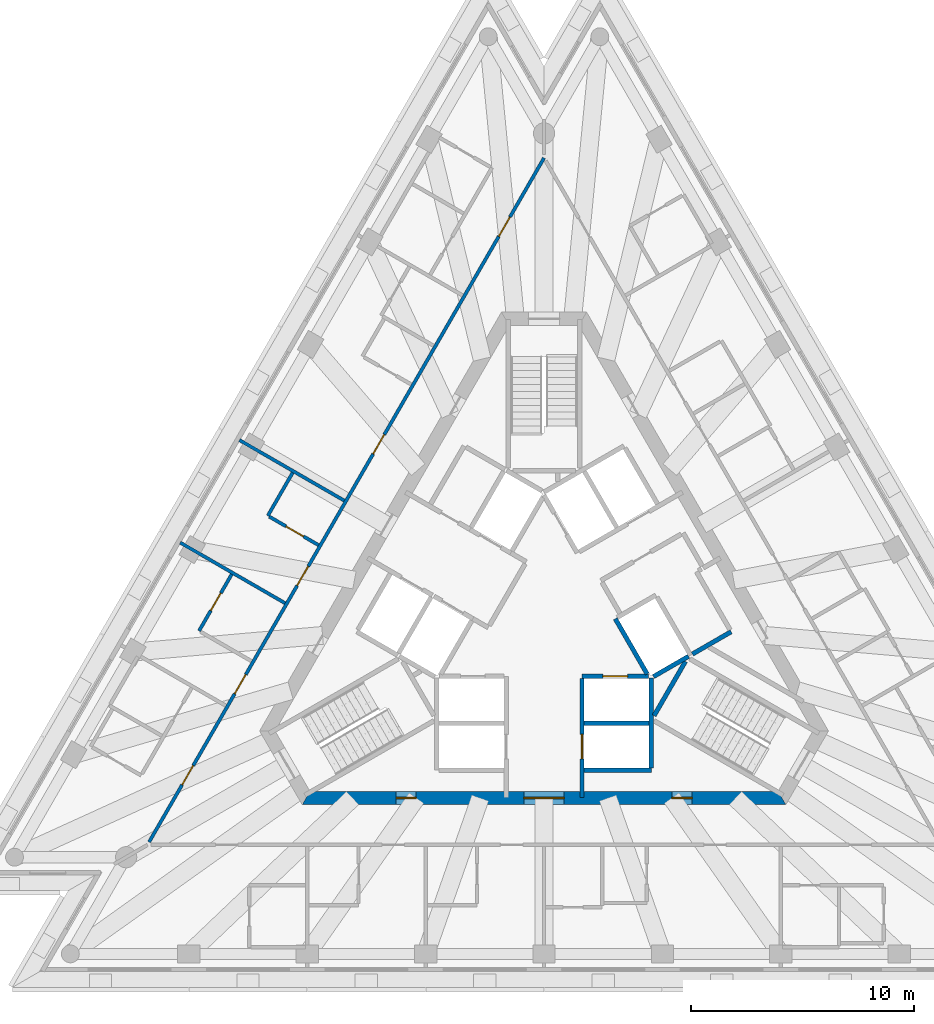
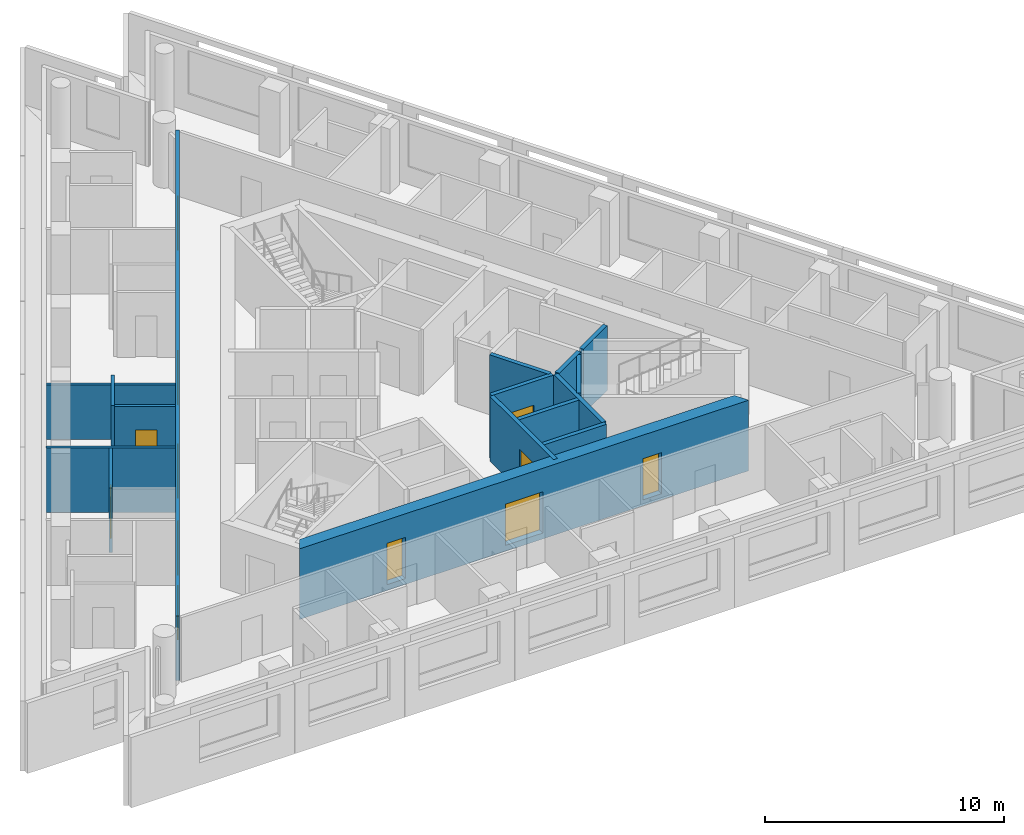
# One storey, part 4 of 11: 16 walls, 12 doors, 12 openings.
"""IFC4 building model written with IfcOpenShell, lengths in metres."""

from ifc_helpers import new_model, si_unit, direction, frame, frame_2d, origin, place, context, subcontext, project, spatial, polyline, rectangle, outline, extrude, material, layer, layer_set, type_object, element, fill, save


model = new_model("IFC4")

# Units and contexts
model_context = context("Model", 3, precision=1e-05, world=origin(), true_north=direction((0.0, 1.0)))
body_context = subcontext(model_context, "Body", "Model", "MODEL_VIEW")
ifc_project = project(units=[si_unit("LENGTHUNIT", "METRE"), si_unit("AREAUNIT", "SQUARE_METRE"), si_unit("VOLUMEUNIT", "CUBIC_METRE"), si_unit("PLANEANGLEUNIT", "RADIAN"), si_unit("MASSUNIT", "GRAM", prefix="KILO")], contexts=[model_context])

# Site, building, storey
site_placement = place(None, origin())
site = spatial("IfcSite", under=ifc_project, at=site_placement, CompositionType="ELEMENT")
building_placement = place(site_placement, origin())
building = spatial("IfcBuilding", under=site, at=building_placement, Name="Triada Interchange Tower", CompositionType="ELEMENT")
storey_placement = place(building_placement, frame((0.0, 0.0, 307.89990234375)))
storey = spatial("IfcBuildingStorey", under=building, at=storey_placement, Name="L73", CompositionType="ELEMENT", Elevation=307.89990234375)

# Walls
ifc_material_1 = material(Name="Concrete C30/37", Category="concrete")
ifc_layer_1 = layer(ifc_material_1, 0.199951171875)
ifc_layer_set_1 = layer_set([ifc_layer_1], Name="CORE WALL 200 EI 120")
wall_type_1 = type_object("IfcWallType", Name="CORE WALL 200 EI 120", PredefinedType="SOLIDWALL", material=ifc_layer_set_1)
wall_1_placement = place(storey_placement, frame((1.800048828125, -4.800048828125, 0.0), z_axis=(0.0, 0.0, 1.0), x_axis=(1.0, 0.0, 0.0)))
element("IfcWall", 1, at=wall_1_placement, inside=storey, type_object=wall_type_1, Name="Wall L71 72", PredefinedType="SOLIDWALL", context=body_context, shape_type="SweptSolid", body=[
    extrude(rectangle(XDim=2.89990234375, YDim=0.199951171875, at=frame_2d((1.449951171875, 0.0))), origin(), (0.0, 0.0, 1.0), 3.300048828125),
])
wall_2_placement = place(storey_placement, frame((1.800048828125, -6.89990234375, 0.0), z_axis=(0.0, 0.0, 1.0), x_axis=(1.0, 0.0, 0.0)))
element("IfcWall", 2, at=wall_2_placement, inside=storey, type_object=wall_type_1, Name="Wall L71 75", PredefinedType="SOLIDWALL", context=body_context, shape_type="SweptSolid", body=[
    extrude(rectangle(XDim=3.0, YDim=0.199951171875, at=frame_2d((1.5, 0.0))), origin(), (0.0, 0.0, 1.0), 3.300048828125),
])

# Wall, opening, door
wall_3_placement = place(storey_placement, frame((1.702880859375, -2.699951171875, 0.0), z_axis=(0.0, 0.0, 1.0), x_axis=(1.0, 0.0, 0.0)))
wall_3 = element("IfcWall", 3, at=wall_3_placement, inside=storey, type_object=wall_type_1, Name="Wall L71 78", PredefinedType="SOLIDWALL", context=body_context, shape_type="SweptSolid", body=[
    extrude(rectangle(XDim=2.97314453125, YDim=0.199951171875, at=frame_2d((1.486572265625, 0.0))), origin(), (0.0, 0.0, 1.0), 3.300048828125),
])
opening_1_placement = place(wall_3_placement, frame((0.93603515625, 0.0, 0.0)))
opening_1 = element("IfcOpeningElement", 4, at=opening_1_placement, cuts=wall_3, Name="Opening LD-HR1", PredefinedType="OPENING", context=body_context, shape_type="SweptSolid", body=[
    extrude(rectangle(XDim=1.10009765625, YDim=2.10009765625, at=frame_2d((0.550048828125, 1.050048828125))), frame((0.0, 0.10986328125, 0.0), z_axis=(0.0, -1.0, 0.0), x_axis=(1.0, 0.0, 0.0)), (0.0, 0.0, 1.0), 0.219970703125),
])
ifc_material_2 = material(Name="Steel S235 door leaf", Category="steel")
door_type_1 = type_object("IfcDoorType", Name="LIFT LANDING DOOR 1100 EI 120", OperationType="SLIDING_TO_LEFT", PredefinedType="DOOR", material=ifc_material_2)
door_1_placement = place(opening_1_placement, origin())
door_1 = element("IfcDoor", 5, at=door_1_placement, inside=storey, type_object=door_type_1, Name="HR1 landing door L73", OperationType="SLIDING_TO_LEFT", OverallHeight=2.10009765625, OverallWidth=1.10009765625, PredefinedType="DOOR", context=body_context, shape_type="SweptSolid", body=[
    extrude(rectangle(XDim=1.10009765625, YDim=2.10009765625, at=frame_2d((0.550048828125, 1.050048828125))), frame((0.0, 0.02490234375, 0.0), z_axis=(0.0, -1.0, 0.0), x_axis=(1.0, 0.0, 0.0)), (0.0, 0.0, 1.0), 0.050048828125),
])
fill(opening_1, door_1)

# Wall
wall_4_placement = place(storey_placement, frame((3.18994140625, -0.125, 0.0), z_axis=(0.0, 0.0, 1.0), x_axis=(0.499988658015, -0.866031951983, 0.0)))
element("IfcWall", 6, at=wall_4_placement, inside=storey, type_object=wall_type_1, Name="Wall L71 81", PredefinedType="SOLIDWALL", context=body_context, shape_type="SweptSolid", body=[
    extrude(rectangle(XDim=2.85791015625, YDim=0.199951171875, at=frame_2d((1.428955078125, 0.0))), origin(), (0.0, 0.0, 1.0), 3.300048828125),
])

# Wall, opening, door
wall_5_placement = place(storey_placement, frame((1.699951171875, -8.1298828125, 0.0), z_axis=(0.0, 0.0, 1.0), x_axis=(0.0, 1.0, 0.0)))
wall_5 = element("IfcWall", 7, at=wall_5_placement, inside=storey, type_object=wall_type_1, Name="Wall L71 83", PredefinedType="SOLIDWALL", context=body_context, shape_type="SweptSolid", body=[
    extrude(rectangle(XDim=5.326904296875, YDim=0.199951171875, at=frame_2d((2.66357421875, 0.0))), origin(), (0.0, 0.0, 1.0), 3.300048828125),
])
opening_2_placement = place(wall_5_placement, frame((1.72998046875, 0.0, 0.0)))
opening_2 = element("IfcOpeningElement", 8, at=opening_2_placement, cuts=wall_5, Name="Opening LD-HR2", PredefinedType="OPENING", context=body_context, shape_type="SweptSolid", body=[
    extrude(rectangle(XDim=1.10009765625, YDim=2.10009765625, at=frame_2d((0.550048828125, 1.050048828125))), frame((0.0, 0.10986328125, 0.0), z_axis=(0.0, -1.0, 0.0), x_axis=(1.0, 0.0, 0.0)), (0.0, 0.0, 1.0), 0.219970703125),
])
door_2_placement = place(opening_2_placement, origin())
door_2 = element("IfcDoor", 9, at=door_2_placement, inside=storey, type_object=door_type_1, Name="HR2 landing door L73", OperationType="SLIDING_TO_LEFT", OverallHeight=2.10009765625, OverallWidth=1.10009765625, PredefinedType="DOOR", context=body_context, shape_type="SweptSolid", body=[
    extrude(rectangle(XDim=1.10009765625, YDim=2.10009765625, at=frame_2d((0.550048828125, 1.050048828125))), frame((0.0, 0.02490234375, 0.0), z_axis=(0.0, -1.0, 0.0), x_axis=(1.0, 0.0, 0.0)), (0.0, 0.0, 1.0), 0.050048828125),
])
fill(opening_2, door_2)

# Walls
wall_6_placement = place(storey_placement, frame((4.800048828125, -6.800048828125, 0.0), z_axis=(0.0, 0.0, 1.0), x_axis=(0.0, 1.0, 0.0)))
element("IfcWall", 10, at=wall_6_placement, inside=storey, type_object=wall_type_1, Name="Wall L71 84", PredefinedType="SOLIDWALL", context=body_context, shape_type="SweptSolid", body=[
    extrude(rectangle(XDim=4.029052734375, YDim=0.199951171875, at=frame_2d((2.0146484375, 0.0))), origin(), (0.0, 0.0, 1.0), 3.300048828125),
])
wall_7_placement = place(storey_placement, frame((4.89990234375, -2.714111328125, 0.0), z_axis=(0.0, 0.0, 1.0), x_axis=(0.865846928409, 0.500309001083, 0.0)))
element("IfcWall", 11, at=wall_7_placement, inside=storey, type_object=wall_type_1, Name="Wall L71 90", PredefinedType="SOLIDWALL", context=body_context, shape_type="SweptSolid", body=[
    extrude(rectangle(XDim=1.813232421875, YDim=0.199951171875, at=frame_2d((0.90673828125, 0.0))), origin(), (0.0, 0.0, 1.0), 3.300048828125),
])
ifc_layer_2 = layer(ifc_material_1, 0.199951171875)
ifc_layer_set_2 = layer_set([ifc_layer_2], Name="CORE WALL 200 EI 90")
wall_type_2 = type_object("IfcWallType", Name="CORE WALL 200 EI 90", PredefinedType="SOLIDWALL", material=ifc_layer_set_2)
wall_8_placement = place(storey_placement, frame((6.64208984375, -1.7080078125, 0.0), z_axis=(0.0, 0.0, 1.0), x_axis=(0.866043441391, 0.499968756647, 0.0)))
element("IfcWall", 12, at=wall_8_placement, inside=storey, type_object=wall_type_2, Name="Wall L71 111", PredefinedType="SOLIDWALL", context=body_context, shape_type="SweptSolid", body=[
    extrude(rectangle(XDim=2.002197265625, YDim=0.199951171875, at=frame_2d((1.0009765625, 0.0))), origin(), (0.0, 0.0, 1.0), 3.300048828125),
])
ifc_layer_3 = layer(ifc_material_1, 0.199951171875)
ifc_layer_set_3 = layer_set([ifc_layer_3], Name="CORE WALL 200 REI 240")
wall_type_3 = type_object("IfcWallType", Name="CORE WALL 200 REI 240", PredefinedType="SOLIDWALL", material=ifc_layer_set_3)
wall_9_placement = place(storey_placement, frame((4.928955078125, -4.4619140625, 0.0), z_axis=(0.0, 0.0, 1.0), x_axis=(0.500200581029, 0.865909567298, 0.0)))
element("IfcWall", 13, at=wall_9_placement, inside=storey, type_object=wall_type_3, Name="Wall L71 122", PredefinedType="SOLIDWALL", context=body_context, shape_type="SweptSolid", body=[
    extrude(rectangle(XDim=2.799072265625, YDim=0.199951171875, at=frame_2d((1.3994140625, 0.0))), origin(), (0.0, 0.0, 1.0), 3.300048828125),
])

# Wall, openings, doors
ifc_material_3 = material(Name="Concrete C40/50", Category="concrete")
ifc_layer_4 = layer(ifc_material_3, 0.60009765625)
ifc_layer_set_4 = layer_set([ifc_layer_4], Name="Core wall D 600")
wall_type_4 = type_object("IfcWallType", Name="Core wall D 600", PredefinedType="SHEAR", material=ifc_layer_set_4)
wall_10_placement = place(storey_placement, frame((-10.652099609375, -8.14990234375, -0.2998046875), z_axis=(0.0, 0.0, 1.0), x_axis=(1.0, 0.0, 0.0)))
wall_10 = element("IfcWall", 14, at=wall_10_placement, inside=storey, type_object=wall_type_4, Name="Core wall WD04 L73", PredefinedType="SHEAR", context=body_context, shape_type="SweptSolid", body=[
    extrude(outline(polyline([(-0.173095703125, -0.300048828125), (1.795166015625, -0.300048828125), (3.76318359375, -0.300048828125), (5.7314453125, -0.300048828125), (7.69970703125, -0.300048828125), (9.66796875, -0.300048828125), (11.635986328125, -0.300048828125), (13.604248046875, -0.300048828125), (15.572509765625, -0.300048828125), (17.540771484375, -0.300048828125), (19.5087890625, -0.300048828125), (21.47705078125, -0.300048828125), (21.131103515625, 0.300048828125), (19.225830078125, 0.300048828125), (17.320556640625, 0.300048828125), (15.415283203125, 0.300048828125), (13.510009765625, 0.300048828125), (11.604736328125, 0.300048828125), (9.699462890625, 0.300048828125), (7.794189453125, 0.300048828125), (5.888916015625, 0.300048828125), (3.983642578125, 0.300048828125), (2.078369140625, 0.300048828125), (0.173095703125, 0.300048828125), (-0.173095703125, -0.300048828125)])), origin(), (0.0, 0.0, 1.0), 3.599853515625),
])
opening_3_placement = place(wall_10_placement, frame((9.751953125, 0.0, 0.300048828125)))
opening_3 = element("IfcOpeningElement", 15, at=opening_3_placement, cuts=wall_10, Name="Opening D71-49", PredefinedType="OPENING", context=body_context, shape_type="SweptSolid", body=[
    extrude(rectangle(XDim=1.800048828125, YDim=2.10009765625, at=frame_2d((0.89990234375, 1.050048828125))), frame((0.0, 0.31005859375, 0.0), z_axis=(0.0, -1.0, 0.0), x_axis=(1.0, 0.0, 0.0)), (0.0, 0.0, 1.0), 0.6201171875),
])
opening_4_placement = place(wall_10_placement, frame((4.02587890625, 0.0, 0.300048828125)))
opening_4 = element("IfcOpeningElement", 16, at=opening_4_placement, cuts=wall_10, Name="Opening D71-55", PredefinedType="OPENING", context=body_context, shape_type="SweptSolid", body=[
    extrude(rectangle(XDim=0.89990234375, YDim=2.10009765625, at=frame_2d((0.449951171875, 1.050048828125))), frame((0.0, 0.31005859375, 0.0), z_axis=(0.0, -1.0, 0.0), x_axis=(1.0, 0.0, 0.0)), (0.0, 0.0, 1.0), 0.6201171875),
])
opening_5_placement = place(wall_10_placement, frame((16.3779296875, 0.0, 0.300048828125)))
opening_5 = element("IfcOpeningElement", 17, at=opening_5_placement, cuts=wall_10, Name="Opening D71-58", PredefinedType="OPENING", context=body_context, shape_type="SweptSolid", body=[
    extrude(rectangle(XDim=0.89990234375, YDim=2.10009765625, at=frame_2d((0.449951171875, 1.050048828125))), frame((0.0, 0.31005859375, 0.0), z_axis=(0.0, -1.0, 0.0), x_axis=(1.0, 0.0, 0.0)), (0.0, 0.0, 1.0), 0.6201171875),
])
door_type_2 = type_object("IfcDoorType", Name="LOBBY DOOR 1800 EI2 90-C5S200", OperationType="DOUBLE_DOOR_SINGLE_SWING", PredefinedType="DOOR", material=ifc_material_2)
door_3_placement = place(opening_3_placement, origin())
door_3 = element("IfcDoor", 18, at=door_3_placement, inside=storey, type_object=door_type_2, Name="Door D71-49 L73", OperationType="DOUBLE_DOOR_SINGLE_SWING", OverallHeight=2.10009765625, OverallWidth=1.800048828125, PredefinedType="DOOR", context=body_context, shape_type="SweptSolid", body=[
    extrude(rectangle(XDim=1.800048828125, YDim=2.10009765625, at=frame_2d((0.89990234375, 1.050048828125))), frame((0.0, 0.02490234375, 0.0), z_axis=(0.0, -1.0, 0.0), x_axis=(1.0, 0.0, 0.0)), (0.0, 0.0, 1.0), 0.050048828125),
])
fill(opening_3, door_3)
door_type_3 = type_object("IfcDoorType", Name="SERVICE DOOR 900 EI2 45-C5S200", OperationType="NOTDEFINED", PredefinedType="DOOR", material=ifc_material_2)
door_4_placement = place(opening_4_placement, origin())
door_4 = element("IfcDoor", 19, at=door_4_placement, inside=storey, type_object=door_type_3, Name="Door D71-55 L73", OperationType="SINGLE_SWING_RIGHT", OverallHeight=2.10009765625, OverallWidth=0.89990234375, PredefinedType="DOOR", context=body_context, shape_type="SweptSolid", body=[
    extrude(rectangle(XDim=0.89990234375, YDim=2.10009765625, at=frame_2d((0.449951171875, 1.050048828125))), frame((0.0, 0.02490234375, 0.0), z_axis=(0.0, -1.0, 0.0), x_axis=(1.0, 0.0, 0.0)), (0.0, 0.0, 1.0), 0.050048828125),
])
fill(opening_4, door_4)
door_5_placement = place(opening_5_placement, origin())
door_5 = element("IfcDoor", 20, at=door_5_placement, inside=storey, type_object=door_type_3, Name="Door D71-58 L73", OperationType="SINGLE_SWING_RIGHT", OverallHeight=2.10009765625, OverallWidth=0.89990234375, PredefinedType="DOOR", context=body_context, shape_type="SweptSolid", body=[
    extrude(rectangle(XDim=0.89990234375, YDim=2.10009765625, at=frame_2d((0.449951171875, 1.050048828125))), frame((0.0, 0.02490234375, 0.0), z_axis=(0.0, -1.0, 0.0), x_axis=(1.0, 0.0, 0.0)), (0.0, 0.0, 1.0), 0.050048828125),
])
fill(opening_5, door_5)

ifc_material_4 = material(Name="Gypsum board partition")
ifc_layer_5 = layer(ifc_material_4, 0.14990234375)
ifc_layer_set_5 = layer_set([ifc_layer_5], Name="PARTITION 150 EI 180")
wall_type_5 = type_object("IfcWallType", Name="PARTITION 150 EI 180", PredefinedType="PARTITIONING", material=ifc_layer_set_5)
wall_11_placement = place(storey_placement, frame((-17.678955078125, -10.1201171875, 0.0), z_axis=(0.0, 0.0, 1.0), x_axis=(0.500008955215, 0.866020233427, 0.0)))
wall_11 = element("IfcWall", 21, at=wall_11_placement, inside=storey, type_object=wall_type_5, Name="Wall L71 5", PredefinedType="PARTITIONING", context=body_context, shape_type="SweptSolid", body=[
    extrude(rectangle(XDim=35.357177734375, YDim=0.14990234375, at=frame_2d((17.6787109375, 0.0))), origin(), (0.0, 0.0, 1.0), 3.300048828125),
])
opening_6_placement = place(wall_11_placement, frame((31.306884765625, 0.0, 0.0)))
opening_6 = element("IfcOpeningElement", 22, at=opening_6_placement, cuts=wall_11, Name="Opening D71-36", PredefinedType="OPENING", context=body_context, shape_type="SweptSolid", body=[
    extrude(rectangle(XDim=1.0, YDim=2.10009765625, at=frame_2d((0.5, 1.050048828125))), frame((0.0, 0.0849609375, 0.0), z_axis=(0.0, -1.0, 0.0), x_axis=(1.0, 0.0, 0.0)), (0.0, 0.0, 1.0), 0.169921875),
])
opening_7_placement = place(wall_11_placement, frame((20.055908203125, 0.0, 0.0)))
opening_7 = element("IfcOpeningElement", 23, at=opening_7_placement, cuts=wall_11, Name="Opening D71-39", PredefinedType="OPENING", context=body_context, shape_type="SweptSolid", body=[
    extrude(rectangle(XDim=1.0, YDim=2.10009765625, at=frame_2d((0.5, 1.050048828125))), frame((0.0, 0.0849609375, 0.0), z_axis=(0.0, -1.0, 0.0), x_axis=(1.0, 0.0, 0.0)), (0.0, 0.0, 1.0), 0.169921875),
])
opening_8_placement = place(wall_11_placement, frame((13.2529296875, 0.0, 0.0)))
opening_8 = element("IfcOpeningElement", 24, at=opening_8_placement, cuts=wall_11, Name="Opening D71-42", PredefinedType="OPENING", context=body_context, shape_type="SweptSolid", body=[
    extrude(rectangle(XDim=1.0, YDim=2.10009765625, at=frame_2d((0.5, 1.050048828125))), frame((0.0, 0.0849609375, 0.0), z_axis=(0.0, -1.0, 0.0), x_axis=(1.0, 0.0, 0.0)), (0.0, 0.0, 1.0), 0.169921875),
])
opening_9_placement = place(wall_11_placement, frame((7.653076171875, 0.0, 0.0)))
opening_9 = element("IfcOpeningElement", 25, at=opening_9_placement, cuts=wall_11, Name="Opening D71-44", PredefinedType="OPENING", context=body_context, shape_type="SweptSolid", body=[
    extrude(rectangle(XDim=1.0, YDim=2.10009765625, at=frame_2d((0.5, 1.050048828125))), frame((0.0, 0.0849609375, 0.0), z_axis=(0.0, -1.0, 0.0), x_axis=(1.0, 0.0, 0.0)), (0.0, 0.0, 1.0), 0.169921875),
])
opening_10_placement = place(wall_11_placement, frame((2.951904296875, 0.0, 0.0)))
opening_10 = element("IfcOpeningElement", 26, at=opening_10_placement, cuts=wall_11, Name="Opening D71-46", PredefinedType="OPENING", context=body_context, shape_type="SweptSolid", body=[
    extrude(rectangle(XDim=1.0, YDim=2.10009765625, at=frame_2d((0.5, 1.050048828125))), frame((0.0, 0.0849609375, 0.0), z_axis=(0.0, -1.0, 0.0), x_axis=(1.0, 0.0, 0.0)), (0.0, 0.0, 1.0), 0.169921875),
])
door_type_4 = type_object("IfcDoorType", Name="GUEST ROOM DOOR 1000 EI2 90-C5S200", OperationType="NOTDEFINED", PredefinedType="DOOR", material=ifc_material_2)
door_6_placement = place(opening_6_placement, origin())
door_6 = element("IfcDoor", 27, at=door_6_placement, inside=storey, type_object=door_type_4, Name="Door D71-36 L73", OperationType="SINGLE_SWING_RIGHT", OverallHeight=2.10009765625, OverallWidth=1.0, PredefinedType="DOOR", context=body_context, shape_type="SweptSolid", body=[
    extrude(rectangle(XDim=1.0, YDim=2.10009765625, at=frame_2d((0.5, 1.050048828125))), frame((0.0, 0.02490234375, 0.0), z_axis=(0.0, -1.0, 0.0), x_axis=(1.0, 0.0, 0.0)), (0.0, 0.0, 1.0), 0.050048828125),
])
fill(opening_6, door_6)
door_7_placement = place(opening_7_placement, origin())
door_7 = element("IfcDoor", 28, at=door_7_placement, inside=storey, type_object=door_type_4, Name="Door D71-39 L73", OperationType="SINGLE_SWING_RIGHT", OverallHeight=2.10009765625, OverallWidth=1.0, PredefinedType="DOOR", context=body_context, shape_type="SweptSolid", body=[
    extrude(rectangle(XDim=1.0, YDim=2.10009765625, at=frame_2d((0.5, 1.050048828125))), frame((0.0, 0.02490234375, 0.0), z_axis=(0.0, -1.0, 0.0), x_axis=(1.0, 0.0, 0.0)), (0.0, 0.0, 1.0), 0.050048828125),
])
fill(opening_7, door_7)
door_8_placement = place(opening_8_placement, origin())
door_8 = element("IfcDoor", 29, at=door_8_placement, inside=storey, type_object=door_type_4, Name="Door D71-42 L73", OperationType="SINGLE_SWING_RIGHT", OverallHeight=2.10009765625, OverallWidth=1.0, PredefinedType="DOOR", context=body_context, shape_type="SweptSolid", body=[
    extrude(rectangle(XDim=1.0, YDim=2.10009765625, at=frame_2d((0.5, 1.050048828125))), frame((0.0, 0.02490234375, 0.0), z_axis=(0.0, -1.0, 0.0), x_axis=(1.0, 0.0, 0.0)), (0.0, 0.0, 1.0), 0.050048828125),
])
fill(opening_8, door_8)
door_9_placement = place(opening_9_placement, origin())
door_9 = element("IfcDoor", 30, at=door_9_placement, inside=storey, type_object=door_type_4, Name="Door D71-44 L73", OperationType="SINGLE_SWING_LEFT", OverallHeight=2.10009765625, OverallWidth=1.0, PredefinedType="DOOR", context=body_context, shape_type="SweptSolid", body=[
    extrude(rectangle(XDim=1.0, YDim=2.10009765625, at=frame_2d((0.5, 1.050048828125))), frame((0.0, 0.02490234375, 0.0), z_axis=(0.0, -1.0, 0.0), x_axis=(1.0, 0.0, 0.0)), (0.0, 0.0, 1.0), 0.050048828125),
])
fill(opening_9, door_9)
door_10_placement = place(opening_10_placement, origin())
door_10 = element("IfcDoor", 31, at=door_10_placement, inside=storey, type_object=door_type_4, Name="Door D71-46 L73", OperationType="SINGLE_SWING_LEFT", OverallHeight=2.10009765625, OverallWidth=1.0, PredefinedType="DOOR", context=body_context, shape_type="SweptSolid", body=[
    extrude(rectangle(XDim=1.0, YDim=2.10009765625, at=frame_2d((0.5, 1.050048828125))), frame((0.0, 0.02490234375, 0.0), z_axis=(0.0, -1.0, 0.0), x_axis=(1.0, 0.0, 0.0)), (0.0, 0.0, 1.0), 0.050048828125),
])
fill(opening_10, door_10)

# Walls
wall_12_placement = place(storey_placement, frame((-16.2880859375, 3.282958984375, 0.0), z_axis=(0.0, 0.0, 1.0), x_axis=(0.866051380023, -0.499955005135, 0.0)))
element("IfcWall", 32, at=wall_12_placement, inside=storey, type_object=wall_type_5, Name="Wall L71 6", PredefinedType="PARTITIONING", context=body_context, shape_type="SweptSolid", body=[
    extrude(rectangle(XDim=5.42236328125, YDim=0.14990234375, at=frame_2d((2.711181640625, 0.0))), origin(), (0.0, 0.0, 1.0), 3.300048828125),
])
wall_13_placement = place(storey_placement, frame((-13.636962890625, 7.873046875, 0.0), z_axis=(0.0, 0.0, 1.0), x_axis=(0.866006352826, -0.500032995777, 0.0)))
element("IfcWall", 33, at=wall_13_placement, inside=storey, type_object=wall_type_5, Name="Wall L71 7", PredefinedType="PARTITIONING", context=body_context, shape_type="SweptSolid", body=[
    extrude(rectangle(XDim=5.421630859375, YDim=0.14990234375, at=frame_2d((2.7109375, 0.0))), origin(), (0.0, 0.0, 1.0), 2.800048828125),
])

# Wall, opening, door
ifc_layer_6 = layer(ifc_material_4, 0.14990234375)
ifc_layer_set_6 = layer_set([ifc_layer_6], Name="PARTITION 150 EI 90")
wall_type_6 = type_object("IfcWallType", Name="PARTITION 150 EI 90", PredefinedType="PARTITIONING", material=ifc_layer_set_6)
wall_14_placement = place(storey_placement, frame((-15.44189453125, -0.6689453125, 0.0), z_axis=(0.0, 0.0, 1.0), x_axis=(0.499874209568, 0.866098016745, 0.0)))
wall_14 = element("IfcWall", 34, at=wall_14_placement, inside=storey, type_object=wall_type_6, Name="Wall L71 34", PredefinedType="PARTITIONING", context=body_context, shape_type="SweptSolid", body=[
    extrude(rectangle(XDim=2.924560546875, YDim=0.14990234375, at=frame_2d((1.46240234375, 0.0))), origin(), (0.0, 0.0, 1.0), 3.300048828125),
])
opening_11_placement = place(wall_14_placement, frame((1.050048828125, 0.0, 0.0)))
opening_11 = element("IfcOpeningElement", 35, at=opening_11_placement, cuts=wall_14, Name="Opening D71-45", PredefinedType="OPENING", context=body_context, shape_type="SweptSolid", body=[
    extrude(rectangle(XDim=0.89990234375, YDim=2.10009765625, at=frame_2d((0.449951171875, 1.050048828125))), frame((0.0, 0.0849609375, 0.0), z_axis=(0.0, -1.0, 0.0), x_axis=(1.0, 0.0, 0.0)), (0.0, 0.0, 1.0), 0.169921875),
])
door_type_5 = type_object("IfcDoorType", Name="ROOM DOOR 900 EI2 45-C5S200", OperationType="NOTDEFINED", PredefinedType="DOOR", material=ifc_material_2)
door_11_placement = place(opening_11_placement, origin())
door_11 = element("IfcDoor", 36, at=door_11_placement, inside=storey, type_object=door_type_5, Name="Door D71-45 L73", OperationType="SINGLE_SWING_LEFT", OverallHeight=2.10009765625, OverallWidth=0.89990234375, PredefinedType="DOOR", context=body_context, shape_type="SweptSolid", body=[
    extrude(rectangle(XDim=0.89990234375, YDim=2.10009765625, at=frame_2d((0.449951171875, 1.050048828125))), frame((0.0, 0.02490234375, 0.0), z_axis=(0.0, -1.0, 0.0), x_axis=(1.0, 0.0, 0.0)), (0.0, 0.0, 1.0), 0.050048828125),
])
fill(opening_11, door_11)

# Wall
wall_15_placement = place(storey_placement, frame((-12.364990234375, 4.48291015625, 0.0), z_axis=(0.0, 0.0, 1.0), x_axis=(0.499833278392, 0.866121639155, 0.0)))
element("IfcWall", 37, at=wall_15_placement, inside=storey, type_object=wall_type_6, Name="Wall L71 37", PredefinedType="PARTITIONING", context=body_context, shape_type="SweptSolid", body=[
    extrude(rectangle(XDim=2.224853515625, YDim=0.14990234375, at=frame_2d((1.1123046875, 0.0))), origin(), (0.0, 0.0, 1.0), 3.300048828125),
])

# Wall, opening, door
wall_16_placement = place(storey_placement, frame((-12.300048828125, 4.445068359375, 0.0), z_axis=(0.0, 0.0, 1.0), x_axis=(0.865965520905, -0.500103705848, 0.0)))
wall_16 = element("IfcWall", 38, at=wall_16_placement, inside=storey, type_object=wall_type_6, Name="Wall L71 38", PredefinedType="PARTITIONING", context=body_context, shape_type="SweptSolid", body=[
    extrude(rectangle(XDim=2.5498046875, YDim=0.14990234375, at=frame_2d((1.27490234375, 0.0))), origin(), (0.0, 0.0, 1.0), 3.300048828125),
])
opening_12_placement = place(wall_16_placement, frame((0.875, 0.0, 0.0)))
opening_12 = element("IfcOpeningElement", 39, at=opening_12_placement, cuts=wall_16, Name="Opening D71-43", PredefinedType="OPENING", context=body_context, shape_type="SweptSolid", body=[
    extrude(rectangle(XDim=0.89990234375, YDim=2.10009765625, at=frame_2d((0.449951171875, 1.050048828125))), frame((0.0, 0.0849609375, 0.0), z_axis=(0.0, -1.0, 0.0), x_axis=(1.0, 0.0, 0.0)), (0.0, 0.0, 1.0), 0.169921875),
])
door_12_placement = place(opening_12_placement, origin())
door_12 = element("IfcDoor", 40, at=door_12_placement, inside=storey, type_object=door_type_5, Name="Door D71-43 L73", OperationType="SINGLE_SWING_RIGHT", OverallHeight=2.10009765625, OverallWidth=0.89990234375, PredefinedType="DOOR", context=body_context, shape_type="SweptSolid", body=[
    extrude(rectangle(XDim=0.89990234375, YDim=2.10009765625, at=frame_2d((0.449951171875, 1.050048828125))), frame((0.0, 0.02490234375, 0.0), z_axis=(0.0, -1.0, 0.0), x_axis=(1.0, 0.0, 0.0)), (0.0, 0.0, 1.0), 0.050048828125),
])
fill(opening_12, door_12)

save(model, "model.ifc")
